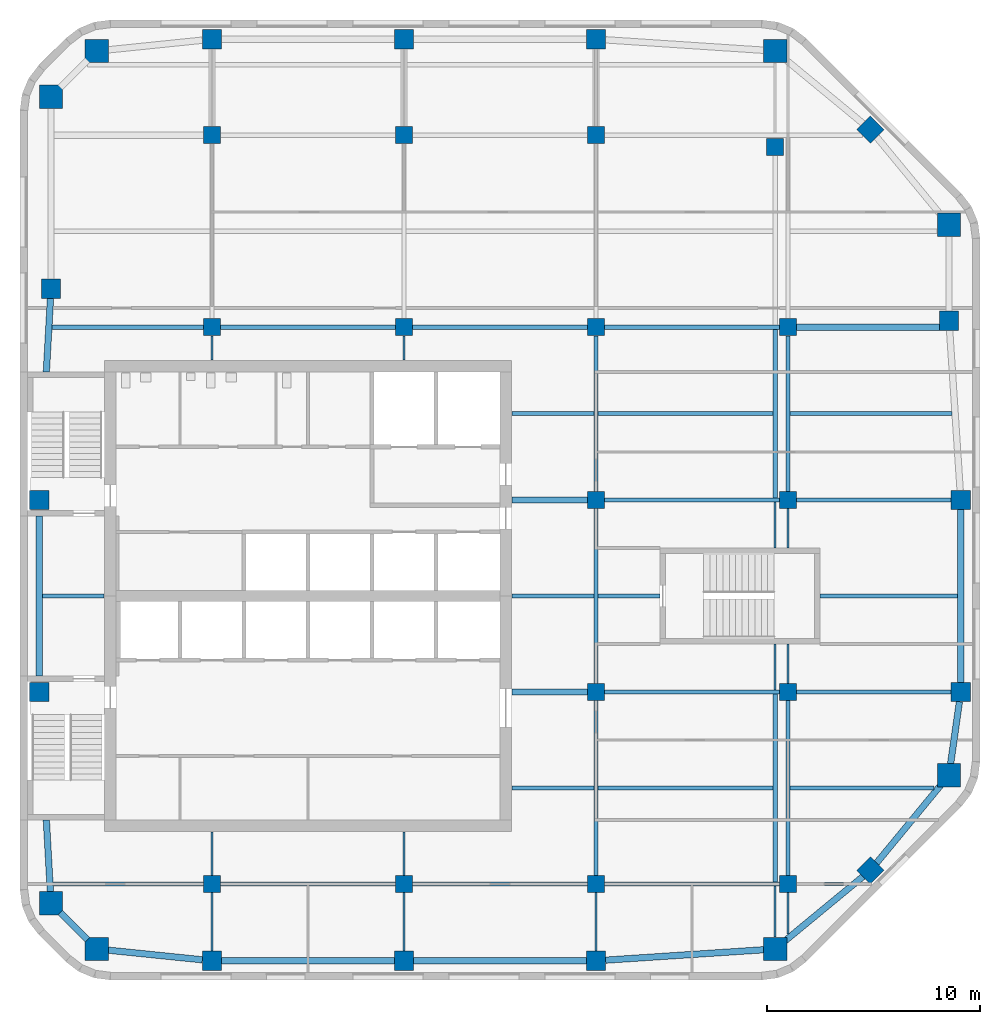
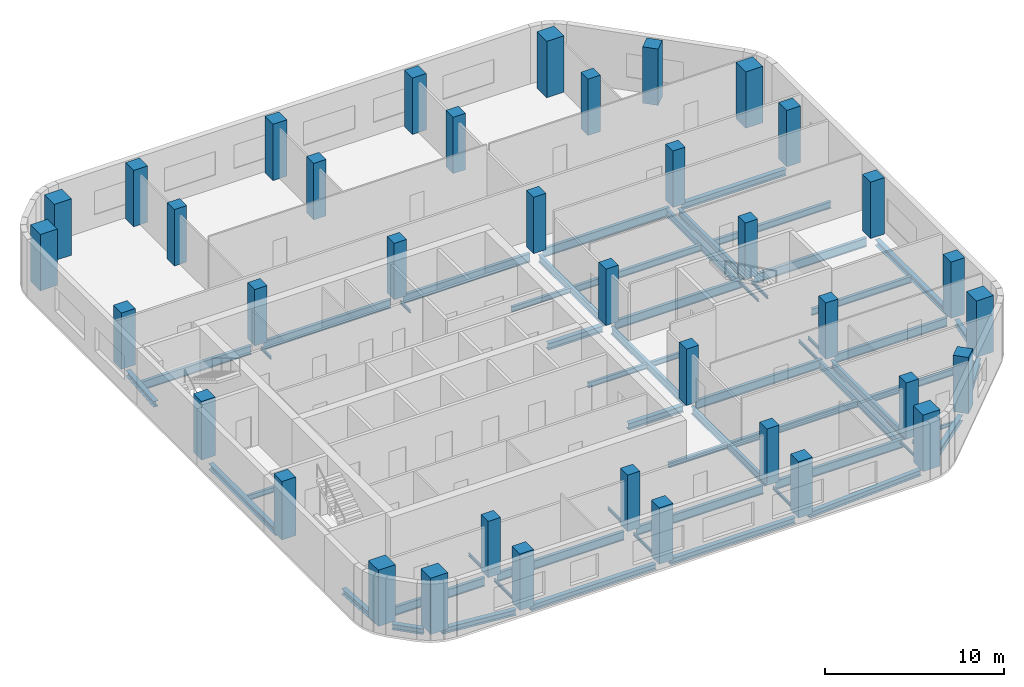
# One storey, part 1 of 8: 58 beams, 38 columns.
"""IFC4 building model written with IfcOpenShell, lengths in metres."""

from ifc_helpers import new_model, si_unit, direction, frame, origin, origin_2d, place, context, subcontext, project, spatial, rectangle, i_section, extrude, material, material_profile, profile_set, type_object, element, save


model = new_model("IFC4")

# Units and contexts
model_context = context("Model", 3, precision=1e-05, world=origin(), true_north=direction((0.0, 1.0)))
body_context = subcontext(model_context, "Body", "Model", "MODEL_VIEW")
ifc_project = project(units=[si_unit("LENGTHUNIT", "METRE"), si_unit("AREAUNIT", "SQUARE_METRE"), si_unit("VOLUMEUNIT", "CUBIC_METRE"), si_unit("PLANEANGLEUNIT", "RADIAN"), si_unit("MASSUNIT", "GRAM", prefix="KILO")], contexts=[model_context])

# Site, building, storey
site_placement = place(None, origin())
site = spatial("IfcSite", under=ifc_project, at=site_placement, CompositionType="ELEMENT")
building_placement = place(site_placement, origin())
building = spatial("IfcBuilding", under=site, at=building_placement, Name="Cinnabar Reach Civic Tower", CompositionType="ELEMENT")
storey_placement = place(building_placement, frame((0.0, 0.0, 202.0)))
storey = spatial("IfcBuildingStorey", under=building, at=storey_placement, Name="L48", CompositionType="ELEMENT", Elevation=202.0)

# Columns
ifc_material_1 = material(Name="Concrete C80", Category="concrete")
ifc_material_profile_1 = material_profile(ifc_material_1, rectangle(XDim=1.1, YDim=1.1, at=origin_2d()), Name="RC1100")
ifc_profile_set_1 = profile_set([ifc_material_profile_1], Name="Concrete C80")
column_type_1 = type_object("IfcColumnType", Name="RC1100 column R 240", PredefinedType="COLUMN", material=ifc_profile_set_1)
for number, where, z_axis, x_axis, name in (
    (1, (3.6019, 14.9531, 0.0), (0.0, 0.0, 1.0), (1.0, 0.0, 0.0), "Column T1-Z4-CC0"),
    (2, (35.3981, 14.9531, 0.0), (0.0, 0.0, 1.0), (1.0, 0.0, 0.0), "Column T1-Z4-CC1"),
    (3, (43.5469, 23.1019, 0.0), (0.0, 0.0, 1.0), (1.0, 0.0, 0.0), "Column T1-Z4-CC2"),
    (4, (43.5469, 48.8981, 0.0), (0.0, 0.0, 1.0), (1.0, 0.0, 0.0), "Column T1-Z4-CC3"),
    (5, (35.3981, 57.0469, 0.0), (0.0, 0.0, 1.0), (1.0, 0.0, 0.0), "Column T1-Z4-CC4"),
    (6, (3.6019, 57.0469, 0.0), (0.0, 0.0, 1.0), (1.0, 0.0, 0.0), "Column T1-Z4-CC5"),
    (7, (1.4531, 54.8981, 0.0), (0.0, 0.0, 1.0), (1.0, 0.0, 0.0), "Column T1-Z4-CC6"),
    (8, (1.4531, 17.1019, 0.0), (0.0, 0.0, 1.0), (1.0, 0.0, 0.0), "Column T1-Z4-CC7"),
):
    element("IfcColumn", number, at=place(storey_placement, frame(where, z_axis=z_axis, x_axis=x_axis)), inside=storey, type_object=column_type_1, Name=name, PredefinedType="COLUMN", context=body_context, shape_type="SweptSolid", body=[
        extrude(rectangle(XDim=1.1, YDim=1.1, at=origin_2d()), origin(), (0.0, 0.0, 1.0), 3.85),
    ])
ifc_material_2 = material(Name="Concrete C60", Category="concrete")
ifc_material_profile_2 = material_profile(ifc_material_2, rectangle(XDim=0.8, YDim=0.8, at=origin_2d()), Name="RC800")
ifc_profile_set_2 = profile_set([ifc_material_profile_2], Name="Concrete C60")
column_type_2 = type_object("IfcColumnType", Name="RC800 column R 240", PredefinedType="COLUMN", material=ifc_profile_set_2)
for number, where, z_axis, x_axis, name in (
    (9, (9.0, 18.0, 0.0), (0.0, 0.0, 1.0), (1.0, 0.0, 0.0), "Column T1-Z4-I9_18"),
    (10, (9.0, 44.1, 0.0), (0.0, 0.0, 1.0), (1.0, 0.0, 0.0), "Column T1-Z4-I9_45"),
    (11, (9.0, 53.1, 0.0), (0.0, 0.0, 1.0), (1.0, 0.0, 0.0), "Column T1-Z4-I9_54"),
    (12, (18.0, 18.0, 0.0), (0.0, 0.0, 1.0), (1.0, 0.0, 0.0), "Column T1-Z4-I18_18"),
    (13, (18.0, 44.1, 0.0), (0.0, 0.0, 1.0), (1.0, 0.0, 0.0), "Column T1-Z4-I18_45"),
    (14, (18.0, 53.1, 0.0), (0.0, 0.0, 1.0), (1.0, 0.0, 0.0), "Column T1-Z4-I18_54"),
    (15, (27.0, 18.0, 0.0), (0.0, 0.0, 1.0), (1.0, 0.0, 0.0), "Column T1-Z4-I27_18"),
    (16, (27.0, 27.0, 0.0), (0.0, 0.0, 1.0), (1.0, 0.0, 0.0), "Column T1-Z4-I27_27"),
    (17, (27.0, 36.0, 0.0), (0.0, 0.0, 1.0), (1.0, 0.0, 0.0), "Column T1-Z4-I27_36"),
    (18, (27.0, 44.1, 0.0), (0.0, 0.0, 1.0), (1.0, 0.0, 0.0), "Column T1-Z4-I27_45"),
    (19, (27.0, 53.1, 0.0), (0.0, 0.0, 1.0), (1.0, 0.0, 0.0), "Column T1-Z4-I27_54"),
    (20, (36.0, 18.0, 0.0), (0.0, 0.0, 1.0), (1.0, 0.0, 0.0), "Column T1-Z4-I36_18"),
    (21, (36.0, 27.0, 0.0), (0.0, 0.0, 1.0), (1.0, 0.0, 0.0), "Column T1-Z4-I36_27"),
    (22, (36.0, 36.0, 0.0), (0.0, 0.0, 1.0), (1.0, 0.0, 0.0), "Column T1-Z4-I36_36"),
    (23, (36.0, 44.1, 0.0), (0.0, 0.0, 1.0), (1.0, 0.0, 0.0), "Column T1-Z4-I36_45"),
    (24, (35.3981, 52.5469, 0.0), (0.0, 0.0, 1.0), (1.0, 0.0, 0.0), "Column T1-Z4-I36_54"),
):
    element("IfcColumn", number, at=place(storey_placement, frame(where, z_axis=z_axis, x_axis=x_axis)), inside=storey, type_object=column_type_2, Name=name, PredefinedType="COLUMN", context=body_context, shape_type="SweptSolid", body=[
        extrude(rectangle(XDim=0.8, YDim=0.8, at=origin_2d()), origin(), (0.0, 0.0, 1.0), 3.85),
    ])
ifc_material_3 = material(Name="Concrete C70", Category="concrete")
ifc_material_profile_3 = material_profile(ifc_material_3, rectangle(XDim=0.9, YDim=0.9, at=origin_2d()), Name="RC900")
ifc_profile_set_3 = profile_set([ifc_material_profile_3], Name="Concrete C70")
column_type_3 = type_object("IfcColumnType", Name="RC900 column R 240", PredefinedType="COLUMN", material=ifc_profile_set_3)
for number, where, z_axis, x_axis, name in (
    (25, (9.0, 14.4, 0.0), (0.0, 0.0, 1.0), (1.0, 0.0, 0.0), "Column T1-Z4-F0-1"),
    (26, (18.0, 14.4, 0.0), (0.0, 0.0, 1.0), (1.0, 0.0, 0.0), "Column T1-Z4-F0-2"),
    (27, (27.0, 14.4, 0.0), (0.0, 0.0, 1.0), (1.0, 0.0, 0.0), "Column T1-Z4-F0-3"),
    (28, (39.8636, 18.6364, 0.0), (0.0, 0.0, 1.0), (0.707106781187, 0.707106781187, 0.0), "Column T1-Z4-F1-M"),
    (29, (44.1, 27.0, 0.0), (0.0, 0.0, 1.0), (1.0, 0.0, 0.0), "Column T1-Z4-F2-3"),
    (30, (44.1, 36.0, 0.0), (0.0, 0.0, 1.0), (1.0, 0.0, 0.0), "Column T1-Z4-F2-4"),
    (31, (43.5469, 44.3981, 0.0), (0.0, 0.0, 1.0), (1.0, 0.0, 0.0), "Column T1-Z4-F2-5"),
    (32, (39.8636, 53.3636, 0.0), (0.0, 0.0, 1.0), (0.707106781187, 0.707106781187, 0.0), "Column T1-Z4-F3-M"),
    (33, (9.0, 57.6, 0.0), (0.0, 0.0, 1.0), (1.0, 0.0, 0.0), "Column T1-Z4-F4-1"),
    (34, (18.0, 57.6, 0.0), (0.0, 0.0, 1.0), (1.0, 0.0, 0.0), "Column T1-Z4-F4-2"),
    (35, (27.0, 57.6, 0.0), (0.0, 0.0, 1.0), (1.0, 0.0, 0.0), "Column T1-Z4-F4-3"),
):
    element("IfcColumn", number, at=place(storey_placement, frame(where, z_axis=z_axis, x_axis=x_axis)), inside=storey, type_object=column_type_3, Name=name, PredefinedType="COLUMN", context=body_context, shape_type="SweptSolid", body=[
        extrude(rectangle(XDim=0.9, YDim=0.9, at=origin_2d()), origin(), (0.0, 0.0, 1.0), 3.85),
    ])
for number, where, z_axis, x_axis, name in (
    (36, (0.9, 27.0, 0.0), (0.0, 0.0, 1.0), (1.0, 0.0, 0.0), "Column T1-Z4-F6-3"),
    (37, (0.9, 36.0, 0.0), (0.0, 0.0, 1.0), (1.0, 0.0, 0.0), "Column T1-Z4-F6-4"),
):
    element("IfcColumn", number, at=place(storey_placement, frame(where, z_axis=z_axis, x_axis=x_axis)), inside=storey, type_object=column_type_3, Name=name, PredefinedType="COLUMN", context=body_context, shape_type="SweptSolid", body=[
        extrude(rectangle(XDim=0.9, YDim=0.9, at=origin_2d()), origin(), (0.0, 0.0, 1.0), 4.0),
    ])
column_placement = place(storey_placement, frame((1.4531, 45.8981, 0.0), z_axis=(0.0, 0.0, 1.0), x_axis=(1.0, 0.0, 0.0)))
element("IfcColumn", 38, at=column_placement, inside=storey, type_object=column_type_3, Name="Column T1-Z4-F6-5", PredefinedType="COLUMN", context=body_context, shape_type="SweptSolid", body=[
    extrude(rectangle(XDim=0.9, YDim=0.9, at=origin_2d()), origin(), (0.0, 0.0, 1.0), 3.85),
])

# Beams
ifc_material_4 = material(Name="Steel Q355B", Category="steel")
ifc_material_profile_4 = material_profile(ifc_material_4, i_section(OverallWidth=0.3, OverallDepth=0.39, WebThickness=0.01, FlangeThickness=0.016, FilletRadius=0.013, at=origin_2d()), Name="HM390x300x10x16")
ifc_profile_set_4 = profile_set([ifc_material_profile_4], Name="Steel Q355B")
beam_type_1 = type_object("IfcBeamType", Name="HM390x300x10x16 beam R 180", PredefinedType="BEAM", material=ifc_profile_set_4)
beam_1_placement = place(storey_placement, frame((4.0339, 14.9088, -0.345), z_axis=(0.994792272495, -0.101923179821, 0.0), x_axis=(0.101923179821, 0.994792272495, 0.0)))
element("IfcBeam", 39, at=beam_1_placement, inside=storey, type_object=beam_type_1, Name="Edge beam T1 L48 1", PredefinedType="BEAM", context=body_context, shape_type="SweptSolid", body=[
    extrude(i_section(OverallWidth=0.3, OverallDepth=0.39, WebThickness=0.01, FlangeThickness=0.016, FilletRadius=0.013, at=origin_2d()), origin(), (0.0, 0.0, 1.0), 4.5377),
])
for number, where, z_axis, x_axis, name in (
    (40, (9.452, 14.4, -0.345), (1.0, 0.0, 0.0), (0.0, 1.0, 0.0), "Edge beam T1 L48 2"),
    (41, (18.452, 14.4, -0.345), (1.0, 0.0, 0.0), (0.0, 1.0, 0.0), "Edge beam T1 L48 3"),
):
    element("IfcBeam", number, at=place(storey_placement, frame(where, z_axis=z_axis, x_axis=x_axis)), inside=storey, type_object=beam_type_1, Name=name, PredefinedType="BEAM", context=body_context, shape_type="SweptSolid", body=[
        extrude(i_section(OverallWidth=0.3, OverallDepth=0.39, WebThickness=0.01, FlangeThickness=0.016, FilletRadius=0.013, at=origin_2d()), origin(), (0.0, 0.0, 1.0), 8.096),
    ])
beam_2_placement = place(storey_placement, frame((27.452, 14.4298, -0.345), z_axis=(0.99783894477, 0.065707231721, 0.0), x_axis=(-0.065707231721, 0.99783894477, 0.0)))
element("IfcBeam", 42, at=beam_2_placement, inside=storey, type_object=beam_type_1, Name="Edge beam T1 L48 4", PredefinedType="BEAM", context=body_context, shape_type="SweptSolid", body=[
    extrude(i_section(OverallWidth=0.3, OverallDepth=0.39, WebThickness=0.01, FlangeThickness=0.016, FilletRadius=0.013, at=origin_2d()), origin(), (0.0, 0.0, 1.0), 7.5304),
])
for number, where, z_axis, x_axis, name in (
    (43, (35.8301, 15.3094, -0.345), (0.771434448755, 0.63630880182, 0.0), (-0.63630880182, 0.771434448755, 0.0), "Edge beam T1 L48 5"),
    (44, (40.1142, 18.9402, -0.345), (0.63630880182, 0.771434448755, 0.0), (-0.771434448755, 0.63630880182, 0.0), "Edge beam T1 L48 6"),
):
    element("IfcBeam", number, at=place(storey_placement, frame(where, z_axis=z_axis, x_axis=x_axis)), inside=storey, type_object=beam_type_1, Name=name, PredefinedType="BEAM", context=body_context, shape_type="SweptSolid", body=[
        extrude(i_section(OverallWidth=0.3, OverallDepth=0.39, WebThickness=0.01, FlangeThickness=0.016, FilletRadius=0.013, at=origin_2d()), origin(), (0.0, 0.0, 1.0), 4.8348),
    ])
beam_3_placement = place(storey_placement, frame((43.6082, 23.5339, -0.345), z_axis=(0.140492342965, 0.990081765092, 0.0), x_axis=(-0.990081765092, 0.140492342965, 0.0)))
element("IfcBeam", 45, at=beam_3_placement, inside=storey, type_object=beam_type_1, Name="Edge beam T1 L48 7", PredefinedType="BEAM", context=body_context, shape_type="SweptSolid", body=[
    extrude(i_section(OverallWidth=0.3, OverallDepth=0.39, WebThickness=0.01, FlangeThickness=0.016, FilletRadius=0.013, at=origin_2d()), origin(), (0.0, 0.0, 1.0), 3.0443),
])
beam_4_placement = place(storey_placement, frame((44.1, 27.452, -0.345), z_axis=(0.0, 1.0, 0.0), x_axis=(-1.0, 0.0, 0.0)))
element("IfcBeam", 46, at=beam_4_placement, inside=storey, type_object=beam_type_1, Name="Edge beam T1 L48 8", PredefinedType="BEAM", context=body_context, shape_type="SweptSolid", body=[
    extrude(i_section(OverallWidth=0.3, OverallDepth=0.39, WebThickness=0.01, FlangeThickness=0.016, FilletRadius=0.013, at=origin_2d()), origin(), (0.0, 0.0, 1.0), 8.096),
])
beam_5_placement = place(storey_placement, frame((1.4278, 45.4461, -0.345), z_axis=(-0.0557766862, -0.998443268932, 0.0), x_axis=(0.998443268932, -0.0557766862, 0.0)))
element("IfcBeam", 47, at=beam_5_placement, inside=storey, type_object=beam_type_1, Name="Edge beam T1 L48 19", PredefinedType="BEAM", context=body_context, shape_type="SweptSolid", body=[
    extrude(i_section(OverallWidth=0.3, OverallDepth=0.39, WebThickness=0.01, FlangeThickness=0.016, FilletRadius=0.013, at=origin_2d()), origin(), (0.0, 0.0, 1.0), 3.4495),
])
beam_6_placement = place(storey_placement, frame((0.9, 35.248, -0.345), z_axis=(0.0, -1.0, 0.0), x_axis=(1.0, 0.0, 0.0)))
element("IfcBeam", 48, at=beam_6_placement, inside=storey, type_object=beam_type_1, Name="Edge beam T1 L48 20", PredefinedType="BEAM", context=body_context, shape_type="SweptSolid", body=[
    extrude(i_section(OverallWidth=0.3, OverallDepth=0.39, WebThickness=0.01, FlangeThickness=0.016, FilletRadius=0.013, at=origin_2d()), origin(), (0.0, 0.0, 1.0), 7.496),
])
beam_7_placement = place(storey_placement, frame((1.2354, 20.998, -0.345), z_axis=(0.05580045603, -0.998441940779, 0.0), x_axis=(0.998441940779, 0.05580045603, 0.0)))
element("IfcBeam", 49, at=beam_7_placement, inside=storey, type_object=beam_type_1, Name="Edge beam T1 L48 21", PredefinedType="BEAM", context=body_context, shape_type="SweptSolid", body=[
    extrude(i_section(OverallWidth=0.3, OverallDepth=0.39, WebThickness=0.01, FlangeThickness=0.016, FilletRadius=0.013, at=origin_2d()), origin(), (0.0, 0.0, 1.0), 3.4695),
])
beam_8_placement = place(storey_placement, frame((1.8851, 16.6699, -0.345), z_axis=(0.707106781187, -0.707106781187, 0.0), x_axis=(0.707106781187, 0.707106781187, 0.0)))
element("IfcBeam", 50, at=beam_8_placement, inside=storey, type_object=beam_type_1, Name="Edge beam T1 L48 22", PredefinedType="BEAM", context=body_context, shape_type="SweptSolid", body=[
    extrude(i_section(OverallWidth=0.3, OverallDepth=0.39, WebThickness=0.01, FlangeThickness=0.016, FilletRadius=0.013, at=origin_2d()), origin(), (0.0, 0.0, 1.0), 1.817),
])
ifc_material_profile_5 = material_profile(ifc_material_4, i_section(OverallWidth=0.3, OverallDepth=0.44, WebThickness=0.011, FlangeThickness=0.018, FilletRadius=0.016, at=origin_2d()), Name="HM440x300x11x18")
ifc_profile_set_5 = profile_set([ifc_material_profile_5], Name="Steel Q355B")
beam_type_2 = type_object("IfcBeamType", Name="HM440x300x11x18 beam R 180", PredefinedType="BEAM", material=ifc_profile_set_5)
for number, where, z_axis, x_axis, name in (
    (51, (23.052, 27.0, -0.37), (1.0, 0.0, 0.0), (0.0, 1.0, 0.0), "Girder T1 L48 6"),
    (52, (23.052, 36.0, -0.37), (1.0, 0.0, 0.0), (0.0, 1.0, 0.0), "Girder T1 L48 9"),
):
    element("IfcBeam", number, at=place(storey_placement, frame(where, z_axis=z_axis, x_axis=x_axis)), inside=storey, type_object=beam_type_2, Name=name, PredefinedType="BEAM", context=body_context, shape_type="SweptSolid", body=[
        extrude(i_section(OverallWidth=0.3, OverallDepth=0.44, WebThickness=0.011, FlangeThickness=0.018, FilletRadius=0.016, at=origin_2d()), origin(), (0.0, 0.0, 1.0), 3.546),
    ])
beam_9_placement = place(storey_placement, frame((36.402, 44.1, -0.37), z_axis=(1.0, 0.0, 0.0), x_axis=(0.0, 1.0, 0.0)))
element("IfcBeam", 53, at=beam_9_placement, inside=storey, type_object=beam_type_2, Name="Girder T1 L48 16", PredefinedType="BEAM", context=body_context, shape_type="SweptSolid", body=[
    extrude(i_section(OverallWidth=0.3, OverallDepth=0.44, WebThickness=0.011, FlangeThickness=0.018, FilletRadius=0.016, at=origin_2d()), origin(), (0.0, 0.0, 1.0), 6.6929),
])
ifc_material_profile_6 = material_profile(ifc_material_4, i_section(OverallWidth=0.099, OverallDepth=0.198, WebThickness=0.0045, FlangeThickness=0.007, FilletRadius=0.013, at=origin_2d()), Name="HN200x100x5.5x8")
ifc_profile_set_6 = profile_set([ifc_material_profile_6], Name="Steel Q355B")
beam_type_3 = type_object("IfcBeamType", Name="HN200x100x5.5x8 beam R 180", PredefinedType="BEAM", material=ifc_profile_set_6)
beam_10_placement = place(storey_placement, frame((9.0, 14.852, -0.249), z_axis=(0.0, 1.0, 0.0), x_axis=(-1.0, 0.0, 0.0)))
element("IfcBeam", 54, at=beam_10_placement, inside=storey, type_object=beam_type_3, Name="Girder T1 L48 1", PredefinedType="BEAM", context=body_context, shape_type="SweptSolid", body=[
    extrude(i_section(OverallWidth=0.099, OverallDepth=0.198, WebThickness=0.0045, FlangeThickness=0.007, FilletRadius=0.013, at=origin_2d()), origin(), (0.0, 0.0, 1.0), 2.746),
])
beam_11_placement = place(storey_placement, frame((9.0, 18.402, -0.249), z_axis=(0.0, 1.0, 0.0), x_axis=(-1.0, 0.0, 0.0)))
element("IfcBeam", 55, at=beam_11_placement, inside=storey, type_object=beam_type_3, Name="Girder T1 L48 2", PredefinedType="BEAM", context=body_context, shape_type="SweptSolid", body=[
    extrude(i_section(OverallWidth=0.099, OverallDepth=0.198, WebThickness=0.0045, FlangeThickness=0.007, FilletRadius=0.013, at=origin_2d()), origin(), (0.0, 0.0, 1.0), 2.046),
])
beam_12_placement = place(storey_placement, frame((9.0, 42.552, -0.249), z_axis=(0.0, 1.0, 0.0), x_axis=(-1.0, 0.0, 0.0)))
element("IfcBeam", 56, at=beam_12_placement, inside=storey, type_object=beam_type_3, Name="Girder T1 L48 3", PredefinedType="BEAM", context=body_context, shape_type="SweptSolid", body=[
    extrude(i_section(OverallWidth=0.099, OverallDepth=0.198, WebThickness=0.0045, FlangeThickness=0.007, FilletRadius=0.013, at=origin_2d()), origin(), (0.0, 0.0, 1.0), 1.146),
])
beam_13_placement = place(storey_placement, frame((18.0, 14.852, -0.249), z_axis=(0.0, 1.0, 0.0), x_axis=(-1.0, 0.0, 0.0)))
element("IfcBeam", 57, at=beam_13_placement, inside=storey, type_object=beam_type_3, Name="Girder T1 L48 6", PredefinedType="BEAM", context=body_context, shape_type="SweptSolid", body=[
    extrude(i_section(OverallWidth=0.099, OverallDepth=0.198, WebThickness=0.0045, FlangeThickness=0.007, FilletRadius=0.013, at=origin_2d()), origin(), (0.0, 0.0, 1.0), 2.746),
])
beam_14_placement = place(storey_placement, frame((18.0, 18.402, -0.249), z_axis=(0.0, 1.0, 0.0), x_axis=(-1.0, 0.0, 0.0)))
element("IfcBeam", 58, at=beam_14_placement, inside=storey, type_object=beam_type_3, Name="Girder T1 L48 7", PredefinedType="BEAM", context=body_context, shape_type="SweptSolid", body=[
    extrude(i_section(OverallWidth=0.099, OverallDepth=0.198, WebThickness=0.0045, FlangeThickness=0.007, FilletRadius=0.013, at=origin_2d()), origin(), (0.0, 0.0, 1.0), 2.046),
])
beam_15_placement = place(storey_placement, frame((18.0, 42.552, -0.249), z_axis=(0.0, 1.0, 0.0), x_axis=(-1.0, 0.0, 0.0)))
element("IfcBeam", 59, at=beam_15_placement, inside=storey, type_object=beam_type_3, Name="Girder T1 L48 8", PredefinedType="BEAM", context=body_context, shape_type="SweptSolid", body=[
    extrude(i_section(OverallWidth=0.099, OverallDepth=0.198, WebThickness=0.0045, FlangeThickness=0.007, FilletRadius=0.013, at=origin_2d()), origin(), (0.0, 0.0, 1.0), 1.146),
])
beam_16_placement = place(storey_placement, frame((27.0, 14.852, -0.249), z_axis=(0.0, 1.0, 0.0), x_axis=(-1.0, 0.0, 0.0)))
element("IfcBeam", 60, at=beam_16_placement, inside=storey, type_object=beam_type_3, Name="Girder T1 L48 11", PredefinedType="BEAM", context=body_context, shape_type="SweptSolid", body=[
    extrude(i_section(OverallWidth=0.099, OverallDepth=0.198, WebThickness=0.0045, FlangeThickness=0.007, FilletRadius=0.013, at=origin_2d()), origin(), (0.0, 0.0, 1.0), 2.746),
])
beam_17_placement = place(storey_placement, frame((35.3981, 15.5051, -0.249), z_axis=(0.0, 1.0, 0.0), x_axis=(-1.0, 0.0, 0.0)))
element("IfcBeam", 61, at=beam_17_placement, inside=storey, type_object=beam_type_3, Name="Girder T1 L48 17", PredefinedType="BEAM", context=body_context, shape_type="SweptSolid", body=[
    extrude(i_section(OverallWidth=0.099, OverallDepth=0.198, WebThickness=0.0045, FlangeThickness=0.007, FilletRadius=0.013, at=origin_2d()), origin(), (0.0, 0.0, 1.0), 2.3934),
])
for number, where, z_axis, x_axis, name in (
    (62, (35.3981, 27.1015, -0.249), (0.0, 1.0, 0.0), (-1.0, 0.0, 0.0), "Girder T1 L48 19"),
    (63, (35.3981, 33.752, -0.249), (0.0, 1.0, 0.0), (-1.0, 0.0, 0.0), "Girder T1 L48 20"),
):
    element("IfcBeam", number, at=place(storey_placement, frame(where, z_axis=z_axis, x_axis=x_axis)), inside=storey, type_object=beam_type_3, Name=name, PredefinedType="BEAM", context=body_context, shape_type="SweptSolid", body=[
        extrude(i_section(OverallWidth=0.099, OverallDepth=0.198, WebThickness=0.0045, FlangeThickness=0.007, FilletRadius=0.013, at=origin_2d()), origin(), (0.0, 0.0, 1.0), 2.1465),
    ])
beam_18_placement = place(storey_placement, frame((36.0, 15.6466, -0.249), z_axis=(0.0, 1.0, 0.0), x_axis=(-1.0, 0.0, 0.0)))
element("IfcBeam", 64, at=beam_18_placement, inside=storey, type_object=beam_type_3, Name="Girder T1 L48 24", PredefinedType="BEAM", context=body_context, shape_type="SweptSolid", body=[
    extrude(i_section(OverallWidth=0.099, OverallDepth=0.198, WebThickness=0.0045, FlangeThickness=0.007, FilletRadius=0.013, at=origin_2d()), origin(), (0.0, 0.0, 1.0), 1.9514),
])
for number, where, z_axis, x_axis, name in (
    (65, (36.0, 27.402, -0.249), (0.0, 1.0, 0.0), (-1.0, 0.0, 0.0), "Girder T1 L48 26"),
    (66, (36.0, 33.752, -0.249), (0.0, 1.0, 0.0), (-1.0, 0.0, 0.0), "Girder T1 L48 27"),
):
    element("IfcBeam", number, at=place(storey_placement, frame(where, z_axis=z_axis, x_axis=x_axis)), inside=storey, type_object=beam_type_3, Name=name, PredefinedType="BEAM", context=body_context, shape_type="SweptSolid", body=[
        extrude(i_section(OverallWidth=0.099, OverallDepth=0.198, WebThickness=0.0045, FlangeThickness=0.007, FilletRadius=0.013, at=origin_2d()), origin(), (0.0, 0.0, 1.0), 1.846),
    ])
ifc_material_profile_7 = material_profile(ifc_material_4, i_section(OverallWidth=0.124, OverallDepth=0.248, WebThickness=0.005, FlangeThickness=0.008, FilletRadius=0.013, at=origin_2d()), Name="HN250x125x6x9")
ifc_profile_set_7 = profile_set([ifc_material_profile_7], Name="Steel Q355B")
beam_type_4 = type_object("IfcBeamType", Name="HN250x125x6x9 beam R 180", PredefinedType="BEAM", material=ifc_profile_set_7)
beam_19_placement = place(storey_placement, frame((36.402, 18.0, -0.274), z_axis=(1.0, 0.0, 0.0), x_axis=(0.0, 1.0, 0.0)))
element("IfcBeam", 67, at=beam_19_placement, inside=storey, type_object=beam_type_4, Name="Girder T1 L48 5", PredefinedType="BEAM", context=body_context, shape_type="SweptSolid", body=[
    extrude(i_section(OverallWidth=0.124, OverallDepth=0.248, WebThickness=0.005, FlangeThickness=0.008, FilletRadius=0.013, at=origin_2d()), origin(), (0.0, 0.0, 1.0), 2.4512),
])
ifc_material_profile_8 = material_profile(ifc_material_4, i_section(OverallWidth=0.174, OverallDepth=0.346, WebThickness=0.006, FlangeThickness=0.009, FilletRadius=0.013, at=origin_2d()), Name="HN346x174x6x9")
ifc_profile_set_8 = profile_set([ifc_material_profile_8], Name="Steel Q355B")
beam_type_5 = type_object("IfcBeamType", Name="HN346x174x6x9 beam R 180", PredefinedType="BEAM", material=ifc_profile_set_8)
beam_20_placement = place(storey_placement, frame((23.052, 22.5, -0.323), z_axis=(1.0, 0.0, 0.0), x_axis=(0.0, 1.0, 0.0)))
element("IfcBeam", 68, at=beam_20_placement, inside=storey, type_object=beam_type_5, Name="Secondary beam T1 L48 1", PredefinedType="BEAM", context=body_context, shape_type="SweptSolid", body=[
    extrude(i_section(OverallWidth=0.174, OverallDepth=0.346, WebThickness=0.006, FlangeThickness=0.009, FilletRadius=0.013, at=origin_2d()), origin(), (0.0, 0.0, 1.0), 3.846),
])
beam_21_placement = place(storey_placement, frame((1.052, 31.5, -0.323), z_axis=(1.0, 0.0, 0.0), x_axis=(0.0, 1.0, 0.0)))
element("IfcBeam", 69, at=beam_21_placement, inside=storey, type_object=beam_type_5, Name="Secondary beam T1 L48 4", PredefinedType="BEAM", context=body_context, shape_type="SweptSolid", body=[
    extrude(i_section(OverallWidth=0.174, OverallDepth=0.346, WebThickness=0.006, FlangeThickness=0.009, FilletRadius=0.013, at=origin_2d()), origin(), (0.0, 0.0, 1.0), 2.896),
])
beam_22_placement = place(storey_placement, frame((23.052, 31.5, -0.323), z_axis=(1.0, 0.0, 0.0), x_axis=(0.0, 1.0, 0.0)))
element("IfcBeam", 70, at=beam_22_placement, inside=storey, type_object=beam_type_5, Name="Secondary beam T1 L48 5", PredefinedType="BEAM", context=body_context, shape_type="SweptSolid", body=[
    extrude(i_section(OverallWidth=0.174, OverallDepth=0.346, WebThickness=0.006, FlangeThickness=0.009, FilletRadius=0.013, at=origin_2d()), origin(), (0.0, 0.0, 1.0), 3.846),
])
beam_23_placement = place(storey_placement, frame((27.102, 31.5, -0.323), z_axis=(1.0, 0.0, 0.0), x_axis=(0.0, 1.0, 0.0)))
element("IfcBeam", 71, at=beam_23_placement, inside=storey, type_object=beam_type_5, Name="Secondary beam T1 L48 6", PredefinedType="BEAM", context=body_context, shape_type="SweptSolid", body=[
    extrude(i_section(OverallWidth=0.174, OverallDepth=0.346, WebThickness=0.006, FlangeThickness=0.009, FilletRadius=0.013, at=origin_2d()), origin(), (0.0, 0.0, 1.0), 2.896),
])
beam_24_placement = place(storey_placement, frame((23.052, 40.05, -0.323), z_axis=(1.0, 0.0, 0.0), x_axis=(0.0, 1.0, 0.0)))
element("IfcBeam", 72, at=beam_24_placement, inside=storey, type_object=beam_type_5, Name="Secondary beam T1 L48 8", PredefinedType="BEAM", context=body_context, shape_type="SweptSolid", body=[
    extrude(i_section(OverallWidth=0.174, OverallDepth=0.346, WebThickness=0.006, FlangeThickness=0.009, FilletRadius=0.013, at=origin_2d()), origin(), (0.0, 0.0, 1.0), 3.846),
])
ifc_material_profile_9 = material_profile(ifc_material_4, i_section(OverallWidth=0.199, OverallDepth=0.446, WebThickness=0.008, FlangeThickness=0.012, FilletRadius=0.016, at=origin_2d()), Name="HN446x199x8x12")
ifc_profile_set_9 = profile_set([ifc_material_profile_9], Name="Steel Q355B")
beam_type_6 = type_object("IfcBeamType", Name="HN446x199x8x12 beam R 180", PredefinedType="BEAM", material=ifc_profile_set_9)
beam_25_placement = place(storey_placement, frame((27.102, 22.5, -0.373), z_axis=(1.0, 0.0, 0.0), x_axis=(0.0, 1.0, 0.0)))
element("IfcBeam", 73, at=beam_25_placement, inside=storey, type_object=beam_type_6, Name="Secondary beam T1 L48 2", PredefinedType="BEAM", context=body_context, shape_type="SweptSolid", body=[
    extrude(i_section(OverallWidth=0.199, OverallDepth=0.446, WebThickness=0.008, FlangeThickness=0.012, FilletRadius=0.016, at=origin_2d()), origin(), (0.0, 0.0, 1.0), 8.1941),
])
beam_26_placement = place(storey_placement, frame((36.102, 22.5, -0.373), z_axis=(1.0, 0.0, 0.0), x_axis=(0.0, 1.0, 0.0)))
element("IfcBeam", 74, at=beam_26_placement, inside=storey, type_object=beam_type_6, Name="Secondary beam T1 L48 3", PredefinedType="BEAM", context=body_context, shape_type="SweptSolid", body=[
    extrude(i_section(OverallWidth=0.199, OverallDepth=0.446, WebThickness=0.008, FlangeThickness=0.012, FilletRadius=0.016, at=origin_2d()), origin(), (0.0, 0.0, 1.0), 6.7514),
])
beam_27_placement = place(storey_placement, frame((37.502, 31.5, -0.373), z_axis=(1.0, 0.0, 0.0), x_axis=(0.0, 1.0, 0.0)))
element("IfcBeam", 75, at=beam_27_placement, inside=storey, type_object=beam_type_6, Name="Secondary beam T1 L48 7", PredefinedType="BEAM", context=body_context, shape_type="SweptSolid", body=[
    extrude(i_section(OverallWidth=0.199, OverallDepth=0.446, WebThickness=0.008, FlangeThickness=0.012, FilletRadius=0.016, at=origin_2d()), origin(), (0.0, 0.0, 1.0), 6.446),
])
beam_28_placement = place(storey_placement, frame((27.102, 40.05, -0.373), z_axis=(1.0, 0.0, 0.0), x_axis=(0.0, 1.0, 0.0)))
element("IfcBeam", 76, at=beam_28_placement, inside=storey, type_object=beam_type_6, Name="Secondary beam T1 L48 9", PredefinedType="BEAM", context=body_context, shape_type="SweptSolid", body=[
    extrude(i_section(OverallWidth=0.199, OverallDepth=0.446, WebThickness=0.008, FlangeThickness=0.012, FilletRadius=0.016, at=origin_2d()), origin(), (0.0, 0.0, 1.0), 8.1941),
])
beam_29_placement = place(storey_placement, frame((36.102, 40.05, -0.373), z_axis=(1.0, 0.0, 0.0), x_axis=(0.0, 1.0, 0.0)))
element("IfcBeam", 77, at=beam_29_placement, inside=storey, type_object=beam_type_6, Name="Secondary beam T1 L48 10", PredefinedType="BEAM", context=body_context, shape_type="SweptSolid", body=[
    extrude(i_section(OverallWidth=0.199, OverallDepth=0.446, WebThickness=0.008, FlangeThickness=0.012, FilletRadius=0.016, at=origin_2d()), origin(), (0.0, 0.0, 1.0), 7.5789),
])
ifc_material_profile_10 = material_profile(ifc_material_4, i_section(OverallWidth=0.2, OverallDepth=0.5, WebThickness=0.01, FlangeThickness=0.016, FilletRadius=0.016, at=origin_2d()), Name="HN500x200x10x16")
ifc_profile_set_10 = profile_set([ifc_material_profile_10], Name="Steel Q355B")
beam_type_7 = type_object("IfcBeamType", Name="HN500x200x10x16 beam R 180", PredefinedType="BEAM", material=ifc_profile_set_10)
for number, where, z_axis, x_axis, name in (
    (78, (27.0, 18.402, -0.4), (0.0, 1.0, 0.0), (-1.0, 0.0, 0.0), "Girder T1 L48 12"),
    (79, (27.0, 27.402, -0.4), (0.0, 1.0, 0.0), (-1.0, 0.0, 0.0), "Girder T1 L48 13"),
):
    element("IfcBeam", number, at=place(storey_placement, frame(where, z_axis=z_axis, x_axis=x_axis)), inside=storey, type_object=beam_type_7, Name=name, PredefinedType="BEAM", context=body_context, shape_type="SweptSolid", body=[
        extrude(i_section(OverallWidth=0.2, OverallDepth=0.5, WebThickness=0.01, FlangeThickness=0.016, FilletRadius=0.016, at=origin_2d()), origin(), (0.0, 0.0, 1.0), 8.196),
    ])
beam_30_placement = place(storey_placement, frame((27.0, 36.402, -0.4), z_axis=(0.0, 1.0, 0.0), x_axis=(-1.0, 0.0, 0.0)))
element("IfcBeam", 80, at=beam_30_placement, inside=storey, type_object=beam_type_7, Name="Girder T1 L48 14", PredefinedType="BEAM", context=body_context, shape_type="SweptSolid", body=[
    extrude(i_section(OverallWidth=0.2, OverallDepth=0.5, WebThickness=0.01, FlangeThickness=0.016, FilletRadius=0.016, at=origin_2d()), origin(), (0.0, 0.0, 1.0), 7.296),
])
beam_31_placement = place(storey_placement, frame((35.3981, 18.1015, -0.4), z_axis=(0.0, 1.0, 0.0), x_axis=(-1.0, 0.0, 0.0)))
element("IfcBeam", 81, at=beam_31_placement, inside=storey, type_object=beam_type_7, Name="Girder T1 L48 18", PredefinedType="BEAM", context=body_context, shape_type="SweptSolid", body=[
    extrude(i_section(OverallWidth=0.2, OverallDepth=0.5, WebThickness=0.01, FlangeThickness=0.016, FilletRadius=0.016, at=origin_2d()), origin(), (0.0, 0.0, 1.0), 8.797),
])
beam_32_placement = place(storey_placement, frame((35.3981, 36.1015, -0.4), z_axis=(0.0, 1.0, 0.0), x_axis=(-1.0, 0.0, 0.0)))
element("IfcBeam", 82, at=beam_32_placement, inside=storey, type_object=beam_type_7, Name="Girder T1 L48 21", PredefinedType="BEAM", context=body_context, shape_type="SweptSolid", body=[
    extrude(i_section(OverallWidth=0.2, OverallDepth=0.5, WebThickness=0.01, FlangeThickness=0.016, FilletRadius=0.016, at=origin_2d()), origin(), (0.0, 0.0, 1.0), 7.897),
])
beam_33_placement = place(storey_placement, frame((36.0, 18.402, -0.4), z_axis=(0.0, 1.0, 0.0), x_axis=(-1.0, 0.0, 0.0)))
element("IfcBeam", 83, at=beam_33_placement, inside=storey, type_object=beam_type_7, Name="Girder T1 L48 25", PredefinedType="BEAM", context=body_context, shape_type="SweptSolid", body=[
    extrude(i_section(OverallWidth=0.2, OverallDepth=0.5, WebThickness=0.01, FlangeThickness=0.016, FilletRadius=0.016, at=origin_2d()), origin(), (0.0, 0.0, 1.0), 8.196),
])
beam_34_placement = place(storey_placement, frame((36.0, 36.402, -0.4), z_axis=(0.0, 1.0, 0.0), x_axis=(-1.0, 0.0, 0.0)))
element("IfcBeam", 84, at=beam_34_placement, inside=storey, type_object=beam_type_7, Name="Girder T1 L48 28", PredefinedType="BEAM", context=body_context, shape_type="SweptSolid", body=[
    extrude(i_section(OverallWidth=0.2, OverallDepth=0.5, WebThickness=0.01, FlangeThickness=0.016, FilletRadius=0.016, at=origin_2d()), origin(), (0.0, 0.0, 1.0), 7.296),
])
ifc_material_profile_11 = material_profile(ifc_material_4, i_section(OverallWidth=0.199, OverallDepth=0.596, WebThickness=0.01, FlangeThickness=0.015, FilletRadius=0.016, at=origin_2d()), Name="HN596x199x10x15")
ifc_profile_set_11 = profile_set([ifc_material_profile_11], Name="Steel Q355B")
beam_type_8 = type_object("IfcBeamType", Name="HN596x199x10x15 beam R 180", PredefinedType="BEAM", material=ifc_profile_set_11)
beam_35_placement = place(storey_placement, frame((1.5552, 18.0, -0.448), z_axis=(1.0, 0.0, 0.0), x_axis=(0.0, 1.0, 0.0)))
element("IfcBeam", 85, at=beam_35_placement, inside=storey, type_object=beam_type_8, Name="Girder T1 L48 1", PredefinedType="BEAM", context=body_context, shape_type="SweptSolid", body=[
    extrude(i_section(OverallWidth=0.199, OverallDepth=0.596, WebThickness=0.01, FlangeThickness=0.015, FilletRadius=0.016, at=origin_2d()), origin(), (0.0, 0.0, 1.0), 7.0428),
])
for number, where, z_axis, x_axis, name in (
    (86, (9.402, 18.0, -0.448), (1.0, 0.0, 0.0), (0.0, 1.0, 0.0), "Girder T1 L48 2"),
    (87, (18.402, 18.0, -0.448), (1.0, 0.0, 0.0), (0.0, 1.0, 0.0), "Girder T1 L48 3"),
    (88, (27.402, 18.0, -0.448), (1.0, 0.0, 0.0), (0.0, 1.0, 0.0), "Girder T1 L48 4"),
    (89, (27.402, 27.0, -0.448), (1.0, 0.0, 0.0), (0.0, 1.0, 0.0), "Girder T1 L48 7"),
):
    element("IfcBeam", number, at=place(storey_placement, frame(where, z_axis=z_axis, x_axis=x_axis)), inside=storey, type_object=beam_type_8, Name=name, PredefinedType="BEAM", context=body_context, shape_type="SweptSolid", body=[
        extrude(i_section(OverallWidth=0.199, OverallDepth=0.596, WebThickness=0.01, FlangeThickness=0.015, FilletRadius=0.016, at=origin_2d()), origin(), (0.0, 0.0, 1.0), 8.196),
    ])
beam_36_placement = place(storey_placement, frame((36.402, 27.0, -0.448), z_axis=(1.0, 0.0, 0.0), x_axis=(0.0, 1.0, 0.0)))
element("IfcBeam", 90, at=beam_36_placement, inside=storey, type_object=beam_type_8, Name="Girder T1 L48 8", PredefinedType="BEAM", context=body_context, shape_type="SweptSolid", body=[
    extrude(i_section(OverallWidth=0.199, OverallDepth=0.596, WebThickness=0.01, FlangeThickness=0.015, FilletRadius=0.016, at=origin_2d()), origin(), (0.0, 0.0, 1.0), 7.246),
])
beam_37_placement = place(storey_placement, frame((27.402, 36.0, -0.448), z_axis=(1.0, 0.0, 0.0), x_axis=(0.0, 1.0, 0.0)))
element("IfcBeam", 91, at=beam_37_placement, inside=storey, type_object=beam_type_8, Name="Girder T1 L48 10", PredefinedType="BEAM", context=body_context, shape_type="SweptSolid", body=[
    extrude(i_section(OverallWidth=0.199, OverallDepth=0.596, WebThickness=0.01, FlangeThickness=0.015, FilletRadius=0.016, at=origin_2d()), origin(), (0.0, 0.0, 1.0), 8.196),
])
beam_38_placement = place(storey_placement, frame((36.402, 36.0, -0.448), z_axis=(1.0, 0.0, 0.0), x_axis=(0.0, 1.0, 0.0)))
element("IfcBeam", 92, at=beam_38_placement, inside=storey, type_object=beam_type_8, Name="Girder T1 L48 11", PredefinedType="BEAM", context=body_context, shape_type="SweptSolid", body=[
    extrude(i_section(OverallWidth=0.199, OverallDepth=0.596, WebThickness=0.01, FlangeThickness=0.015, FilletRadius=0.016, at=origin_2d()), origin(), (0.0, 0.0, 1.0), 7.246),
])
beam_39_placement = place(storey_placement, frame((1.5049, 44.1, -0.448), z_axis=(1.0, 0.0, 0.0), x_axis=(0.0, 1.0, 0.0)))
element("IfcBeam", 93, at=beam_39_placement, inside=storey, type_object=beam_type_8, Name="Girder T1 L48 12", PredefinedType="BEAM", context=body_context, shape_type="SweptSolid", body=[
    extrude(i_section(OverallWidth=0.199, OverallDepth=0.596, WebThickness=0.01, FlangeThickness=0.015, FilletRadius=0.016, at=origin_2d()), origin(), (0.0, 0.0, 1.0), 7.0931),
])
for number, where, z_axis, x_axis, name in (
    (94, (9.402, 44.1, -0.448), (1.0, 0.0, 0.0), (0.0, 1.0, 0.0), "Girder T1 L48 13"),
    (95, (18.402, 44.1, -0.448), (1.0, 0.0, 0.0), (0.0, 1.0, 0.0), "Girder T1 L48 14"),
    (96, (27.402, 44.1, -0.448), (1.0, 0.0, 0.0), (0.0, 1.0, 0.0), "Girder T1 L48 15"),
):
    element("IfcBeam", number, at=place(storey_placement, frame(where, z_axis=z_axis, x_axis=x_axis)), inside=storey, type_object=beam_type_8, Name=name, PredefinedType="BEAM", context=body_context, shape_type="SweptSolid", body=[
        extrude(i_section(OverallWidth=0.199, OverallDepth=0.596, WebThickness=0.01, FlangeThickness=0.015, FilletRadius=0.016, at=origin_2d()), origin(), (0.0, 0.0, 1.0), 8.196),
    ])

save(model, "model.ifc")
